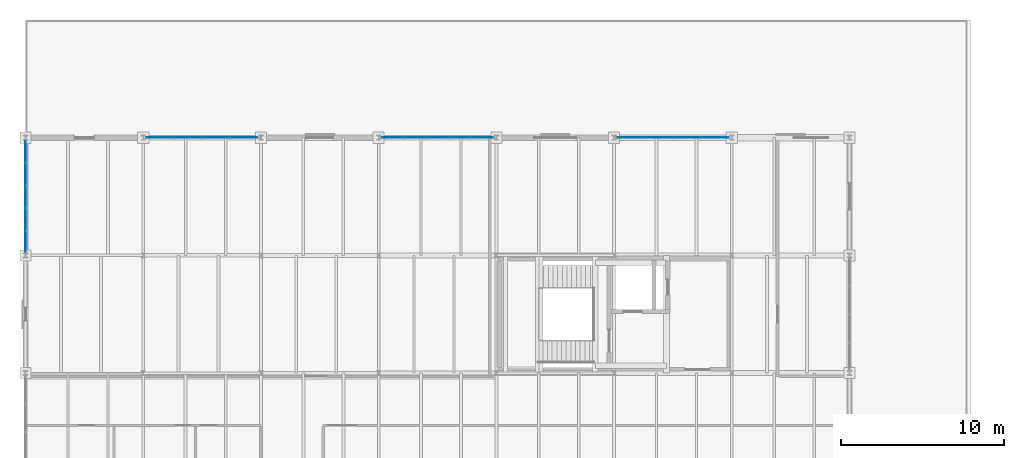
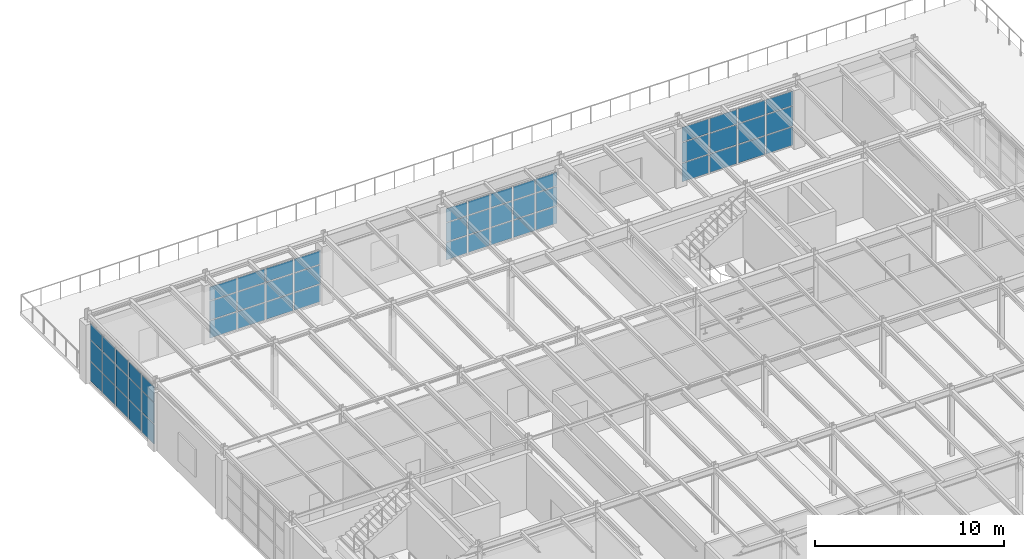
# One storey, part 86 of 101: 54 plates, 4 elements without a shape of their own.
"""IFC4 building model written with IfcOpenShell, lengths in metres."""

import ifcopenshell
import ifcopenshell.guid

model = None  # the IFC model being written
_history = None  # IfcOwnerHistory: only IFC2X3 demands one
_inside = {}  # id of a spatial element -> (the spatial element, [elements in it])
_under = {}  # id of a project, library or spatial element -> (it, [spatial elements below it])
_declared = {}  # id of a project -> (the project, [libraries it declares])
_typed = {}  # id of a type object -> (the type object, [elements of that type])
_made_of = {}  # id of a material, layer set ... -> (it, [elements and type objects made of it])


def new_model(schema):
    """Start an empty IFC model of exactly this schema.

    Asked for "IFC4X3", IfcOpenShell would pick the latest addendum, in which some entities
    have other attributes; the version numbers below select the first issue.
    IFC2X3 requires an IfcOwnerHistory on every rooted entity: one is made here for all.
    """
    global model, _history
    if schema == "IFC4X3":
        model = ifcopenshell.file(schema_version=(4, 3, 0, 0))
    else:
        model = ifcopenshell.file(schema=schema)
    _inside.clear()
    _under.clear()
    _declared.clear()
    _typed.clear()
    _made_of.clear()
    _history = None
    if model.schema == "IFC2X3":
        org = make("IfcOrganization", Name="unknown")
        user = make(
            "IfcPersonAndOrganization",
            ThePerson=make("IfcPerson", FamilyName="unknown"),
            TheOrganization=org,
        )
        app = make(
            "IfcApplication",
            ApplicationDeveloper=org,
            Version="unknown",
            ApplicationFullName="unknown",
            ApplicationIdentifier="unknown",
        )
        _history = make(
            "IfcOwnerHistory",
            OwningUser=user,
            OwningApplication=app,
            ChangeAction="ADDED",
            CreationDate=0,
        )
    return model


def make(cls, **values):
    """One entity of the class cls with the attributes given. An attribute that is None is left unset."""
    return model.create_entity(
        cls, **{name: value for name, value in values.items() if value is not None}
    )


def rooted(cls, **values):
    """An entity with a GlobalId (a new one), such as an element, a storey or a relation."""
    return make(cls, GlobalId=ifcopenshell.guid.new(), OwnerHistory=_history, **values)


def si_unit(unit_type, name, prefix=None):
    """IfcSIUnit, for example si_unit("LENGTHUNIT", "METRE", prefix="MILLI")."""
    return make("IfcSIUnit", UnitType=unit_type, Prefix=prefix, Name=name)


def assignment(units):
    """IfcUnitAssignment: the units of a project."""
    return None if units is None else make("IfcUnitAssignment", Units=units)


def point(xyz):
    """IfcCartesianPoint."""
    return None if xyz is None else make("IfcCartesianPoint", Coordinates=xyz)


def direction(xyz):
    """IfcDirection."""
    return None if xyz is None else make("IfcDirection", DirectionRatios=xyz)


def frame(location, z_axis=None, x_axis=None):
    """IfcAxis2Placement3D, a coordinate frame: its origin and axes. An axis left out is left unset."""
    return make(
        "IfcAxis2Placement3D",
        Location=point(location),
        Axis=direction(z_axis),
        RefDirection=direction(x_axis),
    )


def frame_2d(location, x_axis=None):
    """IfcAxis2Placement2D, a coordinate frame in the plane: its origin and x axis."""
    return make(
        "IfcAxis2Placement2D", Location=point(location), RefDirection=direction(x_axis)
    )


def origin():
    """The frame at (0, 0, 0) with its axes left unset."""
    return frame((0.0, 0.0, 0.0))


def origin_2d():
    """The frame at (0, 0) in the plane with its x axis left unset."""
    return frame_2d((0.0, 0.0))


def place(relative_to, where):
    """IfcLocalPlacement: puts the frame where relative to a parent placement (None: the world)."""
    return make(
        "IfcLocalPlacement", PlacementRelTo=relative_to, RelativePlacement=where
    )


def context(
    kind, dimensions, precision=None, world=None, true_north=None, identifier=None
):
    """IfcGeometricRepresentationContext, for example the 3D "Model" context."""
    return make(
        "IfcGeometricRepresentationContext",
        ContextIdentifier=identifier,
        ContextType=kind,
        CoordinateSpaceDimension=dimensions,
        Precision=precision,
        WorldCoordinateSystem=world,
        TrueNorth=true_north,
    )


def subcontext(parent, identifier, kind, view, scale=None):
    """IfcGeometricRepresentationSubContext, for example "Body" below "Model"."""
    return make(
        "IfcGeometricRepresentationSubContext",
        ContextIdentifier=identifier,
        ContextType=kind,
        ParentContext=parent,
        TargetScale=scale,
        TargetView=view,
    )


def project(units=None, contexts=None):
    """IfcProject with its units and contexts."""
    return rooted(
        "IfcProject",
        Name="project",
        RepresentationContexts=contexts,
        UnitsInContext=assignment(units),
    )


def spatial(cls, under=None, at=None, **own):
    """A site, building, storey or space (cls), placed at a placement, below another one or the project."""
    s = rooted(cls, ObjectPlacement=at, **own)
    if under is not None:
        _under.setdefault(under.id(), (under, []))[1].append(s)
    return s


def profile(cls, at=None, kind="AREA", **sizes):
    """A parametric profile (cls). Its sizes go by their IFC names, for example OverallWidth=200.0."""
    return make(cls, ProfileType=kind, Position=at, **sizes)


def rectangle(**sizes):
    """IfcRectangleProfileDef."""
    return profile("IfcRectangleProfileDef", **sizes)


def extrude(swept, where, along, depth):
    """IfcExtrudedAreaSolid: the profile swept, set in the frame where, extruded along a direction by depth."""
    return make(
        "IfcExtrudedAreaSolid",
        SweptArea=swept,
        Position=where,
        ExtrudedDirection=direction(along),
        Depth=depth,
    )


def shape(context_of_items, identifier, shape_type, items):
    """IfcShapeRepresentation: the items that make up one representation, for example the "Body"."""
    return make(
        "IfcShapeRepresentation",
        ContextOfItems=context_of_items,
        RepresentationIdentifier=identifier,
        RepresentationType=shape_type,
        Items=items,
    )


def material(Name=None, Category=None):
    """IfcMaterial."""
    return make("IfcMaterial", Name=Name, Category=Category)


def layer(
    of_material, thickness, ventilated=None, Name=None, Category=None, Priority=None
):
    """IfcMaterialLayer: one layer of a wall or slab, of a material (None: an air gap)."""
    return make(
        "IfcMaterialLayer",
        Material=of_material,
        LayerThickness=thickness,
        IsVentilated=ventilated,
        Name=Name,
        Category=Category,
        Priority=Priority,
    )


def layer_set(layers, Name=None):
    """IfcMaterialLayerSet."""
    return make("IfcMaterialLayerSet", MaterialLayers=layers, LayerSetName=Name)


def made_of(thing, what):
    """Note that an element or type object is made of a material, layer set ...; save() writes the relation."""
    if what is not None:
        _made_of.setdefault(what.id(), (what, []))[1].append(thing)
    return thing


def type_object(cls, material=None, **own):
    """A type object (cls), such as IfcWallType, which elements share."""
    return made_of(rooted(cls, **own), material)


def element(
    cls,
    number,
    at=None,
    inside=None,
    cuts=None,
    type_object=None,
    material=None,
    context=None,
    identifier="Body",
    shape_type=None,
    held_by="IfcProductDefinitionShape",
    body=None,
    shapes=None,
    **own,
):
    """One element of the class cls, such as IfcWall. Its Tag is "e" and its number.

    at: its placement. inside: the storey or other place that contains it. cuts: it is an
    opening in that element (IfcRelVoidsElement). A single representation is given by context,
    identifier, shape_type and body (its items); several are given by shapes. held_by: the class
    of the entity that holds the representations. save() writes the other relations.
    """
    e = rooted(cls, Tag="e%d" % number, ObjectPlacement=at, **own)
    if body is not None:
        shapes = [shape(context, identifier, shape_type, body)]
    if shapes is not None:
        e.Representation = make(held_by, Representations=shapes)
    if inside is not None:
        _inside.setdefault(inside.id(), (inside, []))[1].append(e)
    if cuts is not None:
        rooted(
            "IfcRelVoidsElement", RelatingBuildingElement=cuts, RelatedOpeningElement=e
        )
    if type_object is not None:
        _typed.setdefault(type_object.id(), (type_object, []))[1].append(e)
    return made_of(e, material)


def aggregate(whole, parts):
    """IfcRelAggregates: a whole, such as a stair, and the parts it consists of."""
    return rooted("IfcRelAggregates", RelatingObject=whole, RelatedObjects=parts)


def save(model, path):
    """Write the relations noted so far, then the file.

    IfcRelAggregates (storeys below a building ...), IfcRelContainedInSpatialStructure (elements
    in a storey), IfcRelDefinesByType, IfcRelAssociatesMaterial and IfcRelDeclares: one each for
    every whole, place, type object, material and project.
    """
    for whole, parts in _under.values():
        aggregate(whole, parts)
    for where, things in _inside.values():
        rooted(
            "IfcRelContainedInSpatialStructure",
            RelatedElements=things,
            RelatingStructure=where,
        )
    for kind, things in _typed.values():
        rooted("IfcRelDefinesByType", RelatedObjects=things, RelatingType=kind)
    for what, things in _made_of.values():
        rooted("IfcRelAssociatesMaterial", RelatedObjects=things, RelatingMaterial=what)
    for by, libraries in _declared.values():
        rooted("IfcRelDeclares", RelatingContext=by, RelatedDefinitions=libraries)
    model.write(path)


model = new_model("IFC4")

# Units and contexts
model_context = context("Model", 3, precision=1e-05, world=origin(), true_north=direction((0.0, 1.0)))
body_context = subcontext(model_context, "Body", "Model", "MODEL_VIEW")
ifc_project = project(units=[si_unit("LENGTHUNIT", "METRE"), si_unit("AREAUNIT", "SQUARE_METRE"), si_unit("VOLUMEUNIT", "CUBIC_METRE"), si_unit("PLANEANGLEUNIT", "RADIAN"), si_unit("MASSUNIT", "GRAM", prefix="KILO")], contexts=[model_context])

# Site, building, storey
site_placement = place(None, origin())
site = spatial("IfcSite", under=ifc_project, at=site_placement, CompositionType="ELEMENT")
building_placement = place(site_placement, origin())
building = spatial("IfcBuilding", under=site, at=building_placement, Name="Kemerveld Promenade Tramway Depot", CompositionType="ELEMENT")
storey_placement = place(building_placement, frame((0.0, 0.0, 9.89990234375)))
storey = spatial("IfcBuildingStorey", under=building, at=storey_placement, Name="L02", CompositionType="ELEMENT", Elevation=9.89990234375)

# Curtain wall, plates
ifc_material_1 = material(Name="Bronze anodised aluminium and solar glass", Category="aluminium")
ifc_layer_1 = layer(ifc_material_1, 0.159912109375)
ifc_layer_set_1 = layer_set([ifc_layer_1], Name="CW-SYS-09")
curtain_wall_type_1 = type_object("IfcCurtainWallType", Name="CW-SYS-09", PredefinedType="USERDEFINED", material=ifc_layer_set_1)
curtain_wall_1_placement = place(storey_placement, origin())
curtain_wall_1 = element("IfcCurtainWall", 1, at=curtain_wall_1_placement, inside=storey, type_object=curtain_wall_type_1, Name="CW-L02-V5N-06", ObjectType="GLAZED_CURTAIN_WALL", PredefinedType="USERDEFINED")
ifc_material_2 = material(Name="Solar-control laminated double glazing", Category="glass")
ifc_layer_2 = layer(ifc_material_2, 0.028076171875)
ifc_layer_set_2 = layer_set([ifc_layer_2], Name="CW-PNL-01")
plate_type_1 = type_object("IfcPlateType", Name="CW-PNL-01", PredefinedType="CURTAIN_PANEL", material=ifc_layer_set_2)
plate_1_placement = place(storey_placement, frame((37.034912109375, 72.0, 0.06005859375), z_axis=(0.0, 0.0, 1.0), x_axis=(1.0, 0.0, 0.0)))
plate_1 = element("IfcPlate", 2, at=plate_1_placement, type_object=plate_type_1, Name="CW09 panel 1.1", PredefinedType="CURTAIN_PANEL", context=body_context, shape_type="SweptSolid", body=[
    extrude(rectangle(XDim=1.62353515625, YDim=0.028076171875, at=origin_2d()), origin(), (0.0, 0.0, 1.0), 1.175048828125),
])
plate_2_placement = place(storey_placement, frame((37.034912109375, 72.0, 1.294921875), z_axis=(0.0, 0.0, 1.0), x_axis=(1.0, 0.0, 0.0)))
plate_2 = element("IfcPlate", 3, at=plate_2_placement, type_object=plate_type_1, Name="CW09 panel 1.2", PredefinedType="CURTAIN_PANEL", context=body_context, shape_type="SweptSolid", body=[
    extrude(rectangle(XDim=1.62353515625, YDim=0.028076171875, at=origin_2d()), origin(), (0.0, 0.0, 1.0), 1.278076171875),
])
plate_3_placement = place(storey_placement, frame((37.034912109375, 72.0, 2.6328125), z_axis=(0.0, 0.0, 1.0), x_axis=(1.0, 0.0, 0.0)))
plate_3 = element("IfcPlate", 4, at=plate_3_placement, type_object=plate_type_1, Name="CW09 panel 1.3", PredefinedType="CURTAIN_PANEL", context=body_context, shape_type="SweptSolid", body=[
    extrude(rectangle(XDim=1.62353515625, YDim=0.028076171875, at=origin_2d()), origin(), (0.0, 0.0, 1.0), 0.922119140625),
])
plate_4_placement = place(storey_placement, frame((38.739501953125, 72.0, 0.06005859375), z_axis=(0.0, 0.0, 1.0), x_axis=(1.0, 0.0, 0.0)))
plate_4 = element("IfcPlate", 5, at=plate_4_placement, type_object=plate_type_1, Name="CW09 panel 2.1", PredefinedType="CURTAIN_PANEL", context=body_context, shape_type="SweptSolid", body=[
    extrude(rectangle(XDim=1.656005859375, YDim=0.028076171875, at=origin_2d()), origin(), (0.0, 0.0, 1.0), 1.175048828125),
])
plate_5_placement = place(storey_placement, frame((38.739501953125, 72.0, 1.294921875), z_axis=(0.0, 0.0, 1.0), x_axis=(1.0, 0.0, 0.0)))
plate_5 = element("IfcPlate", 6, at=plate_5_placement, type_object=plate_type_1, Name="CW09 panel 2.2", PredefinedType="CURTAIN_PANEL", context=body_context, shape_type="SweptSolid", body=[
    extrude(rectangle(XDim=1.656005859375, YDim=0.028076171875, at=origin_2d()), origin(), (0.0, 0.0, 1.0), 1.278076171875),
])
plate_6_placement = place(storey_placement, frame((38.739501953125, 72.0, 2.6328125), z_axis=(0.0, 0.0, 1.0), x_axis=(1.0, 0.0, 0.0)))
plate_6 = element("IfcPlate", 7, at=plate_6_placement, type_object=plate_type_1, Name="CW09 panel 2.3", PredefinedType="CURTAIN_PANEL", context=body_context, shape_type="SweptSolid", body=[
    extrude(rectangle(XDim=1.656005859375, YDim=0.028076171875, at=origin_2d()), origin(), (0.0, 0.0, 1.0), 0.922119140625),
])
plate_7_placement = place(storey_placement, frame((40.46044921875, 72.0, 0.06005859375), z_axis=(0.0, 0.0, 1.0), x_axis=(1.0, 0.0, 0.0)))
plate_7 = element("IfcPlate", 8, at=plate_7_placement, type_object=plate_type_1, Name="CW09 panel 3.1", PredefinedType="CURTAIN_PANEL", context=body_context, shape_type="SweptSolid", body=[
    extrude(rectangle(XDim=1.656005859375, YDim=0.028076171875, at=origin_2d()), origin(), (0.0, 0.0, 1.0), 1.175048828125),
])
plate_8_placement = place(storey_placement, frame((40.46044921875, 72.0, 1.294921875), z_axis=(0.0, 0.0, 1.0), x_axis=(1.0, 0.0, 0.0)))
plate_8 = element("IfcPlate", 9, at=plate_8_placement, type_object=plate_type_1, Name="CW09 panel 3.2", PredefinedType="CURTAIN_PANEL", context=body_context, shape_type="SweptSolid", body=[
    extrude(rectangle(XDim=1.656005859375, YDim=0.028076171875, at=origin_2d()), origin(), (0.0, 0.0, 1.0), 1.278076171875),
])
plate_9_placement = place(storey_placement, frame((40.46044921875, 72.0, 2.6328125), z_axis=(0.0, 0.0, 1.0), x_axis=(1.0, 0.0, 0.0)))
plate_9 = element("IfcPlate", 10, at=plate_9_placement, type_object=plate_type_1, Name="CW09 panel 3.3", PredefinedType="CURTAIN_PANEL", context=body_context, shape_type="SweptSolid", body=[
    extrude(rectangle(XDim=1.656005859375, YDim=0.028076171875, at=origin_2d()), origin(), (0.0, 0.0, 1.0), 0.922119140625),
])
plate_10_placement = place(storey_placement, frame((42.165283203125, 72.0, 0.06005859375), z_axis=(0.0, 0.0, 1.0), x_axis=(1.0, 0.0, 0.0)))
plate_10 = element("IfcPlate", 11, at=plate_10_placement, type_object=plate_type_1, Name="CW09 panel 4.1", PredefinedType="CURTAIN_PANEL", context=body_context, shape_type="SweptSolid", body=[
    extrude(rectangle(XDim=1.62353515625, YDim=0.028076171875, at=origin_2d()), origin(), (0.0, 0.0, 1.0), 1.175048828125),
])
plate_11_placement = place(storey_placement, frame((42.165283203125, 72.0, 1.294921875), z_axis=(0.0, 0.0, 1.0), x_axis=(1.0, 0.0, 0.0)))
plate_11 = element("IfcPlate", 12, at=plate_11_placement, type_object=plate_type_1, Name="CW09 panel 4.2", PredefinedType="CURTAIN_PANEL", context=body_context, shape_type="SweptSolid", body=[
    extrude(rectangle(XDim=1.62353515625, YDim=0.028076171875, at=origin_2d()), origin(), (0.0, 0.0, 1.0), 1.278076171875),
])
plate_12_placement = place(storey_placement, frame((42.165283203125, 72.0, 2.6328125), z_axis=(0.0, 0.0, 1.0), x_axis=(1.0, 0.0, 0.0)))
plate_12 = element("IfcPlate", 13, at=plate_12_placement, type_object=plate_type_1, Name="CW09 panel 4.3", PredefinedType="CURTAIN_PANEL", context=body_context, shape_type="SweptSolid", body=[
    extrude(rectangle(XDim=1.62353515625, YDim=0.028076171875, at=origin_2d()), origin(), (0.0, 0.0, 1.0), 0.922119140625),
])
aggregate(curtain_wall_1, [plate_1, plate_2, plate_3, plate_4, plate_5, plate_6, plate_7, plate_8, plate_9, plate_10, plate_11, plate_12])

ifc_layer_3 = layer(ifc_material_1, 0.159912109375)
ifc_layer_set_3 = layer_set([ifc_layer_3], Name="CW-SYS-13")
curtain_wall_type_2 = type_object("IfcCurtainWallType", Name="CW-SYS-13", PredefinedType="USERDEFINED", material=ifc_layer_set_3)
curtain_wall_2_placement = place(storey_placement, origin())
curtain_wall_2 = element("IfcCurtainWall", 14, at=curtain_wall_2_placement, inside=storey, type_object=curtain_wall_type_2, Name="CW-L02-V5W-10", ObjectType="GLAZED_CURTAIN_WALL", PredefinedType="USERDEFINED")
ifc_layer_4 = layer(ifc_material_2, 0.031982421875)
ifc_layer_set_4 = layer_set([ifc_layer_4], Name="CW-PNL-05")
plate_type_2 = type_object("IfcPlateType", Name="CW-PNL-05", PredefinedType="CURTAIN_PANEL", material=ifc_layer_set_4)
plate_13_placement = place(storey_placement, frame((0.0, 65.662841796875, 0.06005859375), z_axis=(0.0, 0.0, 1.0), x_axis=(0.0, 1.0, 0.0)))
plate_13 = element("IfcPlate", 15, at=plate_13_placement, type_object=plate_type_2, Name="CW13 panel 1.1", PredefinedType="CURTAIN_PANEL", context=body_context, shape_type="SweptSolid", body=[
    extrude(rectangle(XDim=1.279296875, YDim=0.031982421875, at=origin_2d()), origin(), (0.0, 0.0, 1.0), 1.239990234375),
])
plate_14_placement = place(storey_placement, frame((0.0, 65.662841796875, 1.3603515625), z_axis=(0.0, 0.0, 1.0), x_axis=(0.0, 1.0, 0.0)))
plate_14 = element("IfcPlate", 16, at=plate_14_placement, type_object=plate_type_2, Name="CW13 panel 1.2", PredefinedType="CURTAIN_PANEL", context=body_context, shape_type="SweptSolid", body=[
    extrude(rectangle(XDim=1.279296875, YDim=0.031982421875, at=origin_2d()), origin(), (0.0, 0.0, 1.0), 1.345947265625),
])
plate_15_placement = place(storey_placement, frame((0.0, 65.662841796875, 2.76611328125), z_axis=(0.0, 0.0, 1.0), x_axis=(0.0, 1.0, 0.0)))
plate_15 = element("IfcPlate", 17, at=plate_15_placement, type_object=plate_type_2, Name="CW13 panel 1.3", PredefinedType="CURTAIN_PANEL", context=body_context, shape_type="SweptSolid", body=[
    extrude(rectangle(XDim=1.279296875, YDim=0.031982421875, at=origin_2d()), origin(), (0.0, 0.0, 1.0), 0.97412109375),
])
plate_16_placement = place(storey_placement, frame((0.0, 67.023193359375, 0.06005859375), z_axis=(0.0, 0.0, 1.0), x_axis=(0.0, 1.0, 0.0)))
plate_16 = element("IfcPlate", 18, at=plate_16_placement, type_object=plate_type_2, Name="CW13 panel 2.1", PredefinedType="CURTAIN_PANEL", context=body_context, shape_type="SweptSolid", body=[
    extrude(rectangle(XDim=1.311767578125, YDim=0.031982421875, at=origin_2d()), origin(), (0.0, 0.0, 1.0), 1.239990234375),
])
plate_17_placement = place(storey_placement, frame((0.0, 67.023193359375, 1.3603515625), z_axis=(0.0, 0.0, 1.0), x_axis=(0.0, 1.0, 0.0)))
plate_17 = element("IfcPlate", 19, at=plate_17_placement, type_object=plate_type_2, Name="CW13 panel 2.2", PredefinedType="CURTAIN_PANEL", context=body_context, shape_type="SweptSolid", body=[
    extrude(rectangle(XDim=1.311767578125, YDim=0.031982421875, at=origin_2d()), origin(), (0.0, 0.0, 1.0), 1.345947265625),
])
plate_18_placement = place(storey_placement, frame((0.0, 67.023193359375, 2.76611328125), z_axis=(0.0, 0.0, 1.0), x_axis=(0.0, 1.0, 0.0)))
plate_18 = element("IfcPlate", 20, at=plate_18_placement, type_object=plate_type_2, Name="CW13 panel 2.3", PredefinedType="CURTAIN_PANEL", context=body_context, shape_type="SweptSolid", body=[
    extrude(rectangle(XDim=1.311767578125, YDim=0.031982421875, at=origin_2d()), origin(), (0.0, 0.0, 1.0), 0.97412109375),
])
plate_19_placement = place(storey_placement, frame((0.0, 68.39990234375, 0.06005859375), z_axis=(0.0, 0.0, 1.0), x_axis=(0.0, 1.0, 0.0)))
plate_19 = element("IfcPlate", 21, at=plate_19_placement, type_object=plate_type_2, Name="CW13 panel 3.1", PredefinedType="CURTAIN_PANEL", context=body_context, shape_type="SweptSolid", body=[
    extrude(rectangle(XDim=1.311767578125, YDim=0.031982421875, at=origin_2d()), origin(), (0.0, 0.0, 1.0), 1.239990234375),
])
plate_20_placement = place(storey_placement, frame((0.0, 68.39990234375, 1.3603515625), z_axis=(0.0, 0.0, 1.0), x_axis=(0.0, 1.0, 0.0)))
plate_20 = element("IfcPlate", 22, at=plate_20_placement, type_object=plate_type_2, Name="CW13 panel 3.2", PredefinedType="CURTAIN_PANEL", context=body_context, shape_type="SweptSolid", body=[
    extrude(rectangle(XDim=1.311767578125, YDim=0.031982421875, at=origin_2d()), origin(), (0.0, 0.0, 1.0), 1.345947265625),
])
plate_21_placement = place(storey_placement, frame((0.0, 68.39990234375, 2.76611328125), z_axis=(0.0, 0.0, 1.0), x_axis=(0.0, 1.0, 0.0)))
plate_21 = element("IfcPlate", 23, at=plate_21_placement, type_object=plate_type_2, Name="CW13 panel 3.3", PredefinedType="CURTAIN_PANEL", context=body_context, shape_type="SweptSolid", body=[
    extrude(rectangle(XDim=1.311767578125, YDim=0.031982421875, at=origin_2d()), origin(), (0.0, 0.0, 1.0), 0.97412109375),
])
plate_22_placement = place(storey_placement, frame((0.0, 69.776611328125, 0.06005859375), z_axis=(0.0, 0.0, 1.0), x_axis=(0.0, 1.0, 0.0)))
plate_22 = element("IfcPlate", 24, at=plate_22_placement, type_object=plate_type_2, Name="CW13 panel 4.1", PredefinedType="CURTAIN_PANEL", context=body_context, shape_type="SweptSolid", body=[
    extrude(rectangle(XDim=1.311767578125, YDim=0.031982421875, at=origin_2d()), origin(), (0.0, 0.0, 1.0), 1.239990234375),
])
plate_23_placement = place(storey_placement, frame((0.0, 69.776611328125, 1.3603515625), z_axis=(0.0, 0.0, 1.0), x_axis=(0.0, 1.0, 0.0)))
plate_23 = element("IfcPlate", 25, at=plate_23_placement, type_object=plate_type_2, Name="CW13 panel 4.2", PredefinedType="CURTAIN_PANEL", context=body_context, shape_type="SweptSolid", body=[
    extrude(rectangle(XDim=1.311767578125, YDim=0.031982421875, at=origin_2d()), origin(), (0.0, 0.0, 1.0), 1.345947265625),
])
plate_24_placement = place(storey_placement, frame((0.0, 69.776611328125, 2.76611328125), z_axis=(0.0, 0.0, 1.0), x_axis=(0.0, 1.0, 0.0)))
plate_24 = element("IfcPlate", 26, at=plate_24_placement, type_object=plate_type_2, Name="CW13 panel 4.3", PredefinedType="CURTAIN_PANEL", context=body_context, shape_type="SweptSolid", body=[
    extrude(rectangle(XDim=1.311767578125, YDim=0.031982421875, at=origin_2d()), origin(), (0.0, 0.0, 1.0), 0.97412109375),
])
plate_25_placement = place(storey_placement, frame((0.0, 71.13720703125, 0.06005859375), z_axis=(0.0, 0.0, 1.0), x_axis=(0.0, 1.0, 0.0)))
plate_25 = element("IfcPlate", 27, at=plate_25_placement, type_object=plate_type_2, Name="CW13 panel 5.1", PredefinedType="CURTAIN_PANEL", context=body_context, shape_type="SweptSolid", body=[
    extrude(rectangle(XDim=1.279296875, YDim=0.031982421875, at=origin_2d()), origin(), (0.0, 0.0, 1.0), 1.239990234375),
])
plate_26_placement = place(storey_placement, frame((0.0, 71.13720703125, 1.3603515625), z_axis=(0.0, 0.0, 1.0), x_axis=(0.0, 1.0, 0.0)))
plate_26 = element("IfcPlate", 28, at=plate_26_placement, type_object=plate_type_2, Name="CW13 panel 5.2", PredefinedType="CURTAIN_PANEL", context=body_context, shape_type="SweptSolid", body=[
    extrude(rectangle(XDim=1.279296875, YDim=0.031982421875, at=origin_2d()), origin(), (0.0, 0.0, 1.0), 1.345947265625),
])
plate_27_placement = place(storey_placement, frame((0.0, 71.13720703125, 2.76611328125), z_axis=(0.0, 0.0, 1.0), x_axis=(0.0, 1.0, 0.0)))
plate_27 = element("IfcPlate", 29, at=plate_27_placement, type_object=plate_type_2, Name="CW13 panel 5.3", PredefinedType="CURTAIN_PANEL", context=body_context, shape_type="SweptSolid", body=[
    extrude(rectangle(XDim=1.279296875, YDim=0.031982421875, at=origin_2d()), origin(), (0.0, 0.0, 1.0), 0.97412109375),
])
aggregate(curtain_wall_2, [plate_13, plate_14, plate_15, plate_16, plate_17, plate_18, plate_19, plate_20, plate_21, plate_22, plate_23, plate_24, plate_25, plate_26, plate_27])

ifc_layer_5 = layer(ifc_material_1, 0.159912109375)
ifc_layer_set_5 = layer_set([ifc_layer_5], Name="CW-SYS-05")
curtain_wall_type_3 = type_object("IfcCurtainWallType", Name="CW-SYS-05", PredefinedType="USERDEFINED", material=ifc_layer_set_5)
curtain_wall_3_placement = place(storey_placement, origin())
curtain_wall_3 = element("IfcCurtainWall", 30, at=curtain_wall_3_placement, inside=storey, type_object=curtain_wall_type_3, Name="CW-L02-V5N-02", ObjectType="GLAZED_CURTAIN_WALL", PredefinedType="USERDEFINED")
plate_28_placement = place(storey_placement, frame((8.23486328125, 72.0, 0.06005859375), z_axis=(0.0, 0.0, 1.0), x_axis=(1.0, 0.0, 0.0)))
plate_28 = element("IfcPlate", 31, at=plate_28_placement, type_object=plate_type_2, Name="CW05 panel 1.1", PredefinedType="CURTAIN_PANEL", context=body_context, shape_type="SweptSolid", body=[
    extrude(rectangle(XDim=1.62353515625, YDim=0.031982421875, at=origin_2d()), origin(), (0.0, 0.0, 1.0), 1.10498046875),
])
plate_29_placement = place(storey_placement, frame((8.23486328125, 72.0, 1.22509765625), z_axis=(0.0, 0.0, 1.0), x_axis=(1.0, 0.0, 0.0)))
plate_29 = element("IfcPlate", 32, at=plate_29_placement, type_object=plate_type_2, Name="CW05 panel 1.2", PredefinedType="CURTAIN_PANEL", context=body_context, shape_type="SweptSolid", body=[
    extrude(rectangle(XDim=1.62353515625, YDim=0.031982421875, at=origin_2d()), origin(), (0.0, 0.0, 1.0), 1.202880859375),
])
plate_30_placement = place(storey_placement, frame((8.23486328125, 72.0, 2.488037109375), z_axis=(0.0, 0.0, 1.0), x_axis=(1.0, 0.0, 0.0)))
plate_30 = element("IfcPlate", 33, at=plate_30_placement, type_object=plate_type_2, Name="CW05 panel 1.3", PredefinedType="CURTAIN_PANEL", context=body_context, shape_type="SweptSolid", body=[
    extrude(rectangle(XDim=1.62353515625, YDim=0.031982421875, at=origin_2d()), origin(), (0.0, 0.0, 1.0), 0.8662109375),
])
plate_31_placement = place(storey_placement, frame((9.939697265625, 72.0, 0.06005859375), z_axis=(0.0, 0.0, 1.0), x_axis=(1.0, 0.0, 0.0)))
plate_31 = element("IfcPlate", 34, at=plate_31_placement, type_object=plate_type_2, Name="CW05 panel 2.1", PredefinedType="CURTAIN_PANEL", context=body_context, shape_type="SweptSolid", body=[
    extrude(rectangle(XDim=1.656005859375, YDim=0.031982421875, at=origin_2d()), origin(), (0.0, 0.0, 1.0), 1.10498046875),
])
plate_32_placement = place(storey_placement, frame((9.939697265625, 72.0, 1.22509765625), z_axis=(0.0, 0.0, 1.0), x_axis=(1.0, 0.0, 0.0)))
plate_32 = element("IfcPlate", 35, at=plate_32_placement, type_object=plate_type_2, Name="CW05 panel 2.2", PredefinedType="CURTAIN_PANEL", context=body_context, shape_type="SweptSolid", body=[
    extrude(rectangle(XDim=1.656005859375, YDim=0.031982421875, at=origin_2d()), origin(), (0.0, 0.0, 1.0), 1.202880859375),
])
plate_33_placement = place(storey_placement, frame((9.939697265625, 72.0, 2.488037109375), z_axis=(0.0, 0.0, 1.0), x_axis=(1.0, 0.0, 0.0)))
plate_33 = element("IfcPlate", 36, at=plate_33_placement, type_object=plate_type_2, Name="CW05 panel 2.3", PredefinedType="CURTAIN_PANEL", context=body_context, shape_type="SweptSolid", body=[
    extrude(rectangle(XDim=1.656005859375, YDim=0.031982421875, at=origin_2d()), origin(), (0.0, 0.0, 1.0), 0.8662109375),
])
plate_34_placement = place(storey_placement, frame((11.660400390625, 72.0, 0.06005859375), z_axis=(0.0, 0.0, 1.0), x_axis=(1.0, 0.0, 0.0)))
plate_34 = element("IfcPlate", 37, at=plate_34_placement, type_object=plate_type_2, Name="CW05 panel 3.1", PredefinedType="CURTAIN_PANEL", context=body_context, shape_type="SweptSolid", body=[
    extrude(rectangle(XDim=1.656005859375, YDim=0.031982421875, at=origin_2d()), origin(), (0.0, 0.0, 1.0), 1.10498046875),
])
plate_35_placement = place(storey_placement, frame((11.660400390625, 72.0, 1.22509765625), z_axis=(0.0, 0.0, 1.0), x_axis=(1.0, 0.0, 0.0)))
plate_35 = element("IfcPlate", 38, at=plate_35_placement, type_object=plate_type_2, Name="CW05 panel 3.2", PredefinedType="CURTAIN_PANEL", context=body_context, shape_type="SweptSolid", body=[
    extrude(rectangle(XDim=1.656005859375, YDim=0.031982421875, at=origin_2d()), origin(), (0.0, 0.0, 1.0), 1.202880859375),
])
plate_36_placement = place(storey_placement, frame((11.660400390625, 72.0, 2.488037109375), z_axis=(0.0, 0.0, 1.0), x_axis=(1.0, 0.0, 0.0)))
plate_36 = element("IfcPlate", 39, at=plate_36_placement, type_object=plate_type_2, Name="CW05 panel 3.3", PredefinedType="CURTAIN_PANEL", context=body_context, shape_type="SweptSolid", body=[
    extrude(rectangle(XDim=1.656005859375, YDim=0.031982421875, at=origin_2d()), origin(), (0.0, 0.0, 1.0), 0.8662109375),
])
plate_37_placement = place(storey_placement, frame((13.365234375, 72.0, 0.06005859375), z_axis=(0.0, 0.0, 1.0), x_axis=(1.0, 0.0, 0.0)))
plate_37 = element("IfcPlate", 40, at=plate_37_placement, type_object=plate_type_2, Name="CW05 panel 4.1", PredefinedType="CURTAIN_PANEL", context=body_context, shape_type="SweptSolid", body=[
    extrude(rectangle(XDim=1.62353515625, YDim=0.031982421875, at=origin_2d()), origin(), (0.0, 0.0, 1.0), 1.10498046875),
])
plate_38_placement = place(storey_placement, frame((13.365234375, 72.0, 1.22509765625), z_axis=(0.0, 0.0, 1.0), x_axis=(1.0, 0.0, 0.0)))
plate_38 = element("IfcPlate", 41, at=plate_38_placement, type_object=plate_type_2, Name="CW05 panel 4.2", PredefinedType="CURTAIN_PANEL", context=body_context, shape_type="SweptSolid", body=[
    extrude(rectangle(XDim=1.62353515625, YDim=0.031982421875, at=origin_2d()), origin(), (0.0, 0.0, 1.0), 1.202880859375),
])
plate_39_placement = place(storey_placement, frame((13.365234375, 72.0, 2.488037109375), z_axis=(0.0, 0.0, 1.0), x_axis=(1.0, 0.0, 0.0)))
plate_39 = element("IfcPlate", 42, at=plate_39_placement, type_object=plate_type_2, Name="CW05 panel 4.3", PredefinedType="CURTAIN_PANEL", context=body_context, shape_type="SweptSolid", body=[
    extrude(rectangle(XDim=1.62353515625, YDim=0.031982421875, at=origin_2d()), origin(), (0.0, 0.0, 1.0), 0.8662109375),
])
aggregate(curtain_wall_3, [plate_28, plate_29, plate_30, plate_31, plate_32, plate_33, plate_34, plate_35, plate_36, plate_37, plate_38, plate_39])

ifc_layer_6 = layer(ifc_material_1, 0.159912109375)
ifc_layer_set_6 = layer_set([ifc_layer_6], Name="CW-SYS-07")
curtain_wall_type_4 = type_object("IfcCurtainWallType", Name="CW-SYS-07", PredefinedType="USERDEFINED", material=ifc_layer_set_6)
curtain_wall_4_placement = place(storey_placement, origin())
curtain_wall_4 = element("IfcCurtainWall", 43, at=curtain_wall_4_placement, inside=storey, type_object=curtain_wall_type_4, Name="CW-L02-V5N-04", ObjectType="GLAZED_CURTAIN_WALL", PredefinedType="USERDEFINED")
ifc_layer_7 = layer(ifc_material_2, 0.030029296875)
ifc_layer_set_7 = layer_set([ifc_layer_7], Name="CW-PNL-07")
plate_type_3 = type_object("IfcPlateType", Name="CW-PNL-07", PredefinedType="CURTAIN_PANEL", material=ifc_layer_set_7)
plate_40_placement = place(storey_placement, frame((22.462890625, 72.0, 0.06005859375), z_axis=(0.0, 0.0, 1.0), x_axis=(1.0, 0.0, 0.0)))
plate_40 = element("IfcPlate", 44, at=plate_40_placement, type_object=plate_type_3, Name="CW07 panel 1.1", PredefinedType="CURTAIN_PANEL", context=body_context, shape_type="SweptSolid", body=[
    extrude(rectangle(XDim=1.279296875, YDim=0.030029296875, at=origin_2d()), origin(), (0.0, 0.0, 1.0), 1.10498046875),
])
plate_41_placement = place(storey_placement, frame((22.462890625, 72.0, 1.22509765625), z_axis=(0.0, 0.0, 1.0), x_axis=(1.0, 0.0, 0.0)))
plate_41 = element("IfcPlate", 45, at=plate_41_placement, type_object=plate_type_3, Name="CW07 panel 1.2", PredefinedType="CURTAIN_PANEL", context=body_context, shape_type="SweptSolid", body=[
    extrude(rectangle(XDim=1.279296875, YDim=0.030029296875, at=origin_2d()), origin(), (0.0, 0.0, 1.0), 1.202880859375),
])
plate_42_placement = place(storey_placement, frame((22.462890625, 72.0, 2.488037109375), z_axis=(0.0, 0.0, 1.0), x_axis=(1.0, 0.0, 0.0)))
plate_42 = element("IfcPlate", 46, at=plate_42_placement, type_object=plate_type_3, Name="CW07 panel 1.3", PredefinedType="CURTAIN_PANEL", context=body_context, shape_type="SweptSolid", body=[
    extrude(rectangle(XDim=1.279296875, YDim=0.030029296875, at=origin_2d()), origin(), (0.0, 0.0, 1.0), 0.8662109375),
])
plate_43_placement = place(storey_placement, frame((23.8232421875, 72.0, 0.06005859375), z_axis=(0.0, 0.0, 1.0), x_axis=(1.0, 0.0, 0.0)))
plate_43 = element("IfcPlate", 47, at=plate_43_placement, type_object=plate_type_3, Name="CW07 panel 2.1", PredefinedType="CURTAIN_PANEL", context=body_context, shape_type="SweptSolid", body=[
    extrude(rectangle(XDim=1.311767578125, YDim=0.030029296875, at=origin_2d()), origin(), (0.0, 0.0, 1.0), 1.10498046875),
])
plate_44_placement = place(storey_placement, frame((23.8232421875, 72.0, 1.22509765625), z_axis=(0.0, 0.0, 1.0), x_axis=(1.0, 0.0, 0.0)))
plate_44 = element("IfcPlate", 48, at=plate_44_placement, type_object=plate_type_3, Name="CW07 panel 2.2", PredefinedType="CURTAIN_PANEL", context=body_context, shape_type="SweptSolid", body=[
    extrude(rectangle(XDim=1.311767578125, YDim=0.030029296875, at=origin_2d()), origin(), (0.0, 0.0, 1.0), 1.202880859375),
])
plate_45_placement = place(storey_placement, frame((23.8232421875, 72.0, 2.488037109375), z_axis=(0.0, 0.0, 1.0), x_axis=(1.0, 0.0, 0.0)))
plate_45 = element("IfcPlate", 49, at=plate_45_placement, type_object=plate_type_3, Name="CW07 panel 2.3", PredefinedType="CURTAIN_PANEL", context=body_context, shape_type="SweptSolid", body=[
    extrude(rectangle(XDim=1.311767578125, YDim=0.030029296875, at=origin_2d()), origin(), (0.0, 0.0, 1.0), 0.8662109375),
])
plate_46_placement = place(storey_placement, frame((25.199951171875, 72.0, 0.06005859375), z_axis=(0.0, 0.0, 1.0), x_axis=(1.0, 0.0, 0.0)))
plate_46 = element("IfcPlate", 50, at=plate_46_placement, type_object=plate_type_3, Name="CW07 panel 3.1", PredefinedType="CURTAIN_PANEL", context=body_context, shape_type="SweptSolid", body=[
    extrude(rectangle(XDim=1.311767578125, YDim=0.030029296875, at=origin_2d()), origin(), (0.0, 0.0, 1.0), 1.10498046875),
])
plate_47_placement = place(storey_placement, frame((25.199951171875, 72.0, 1.22509765625), z_axis=(0.0, 0.0, 1.0), x_axis=(1.0, 0.0, 0.0)))
plate_47 = element("IfcPlate", 51, at=plate_47_placement, type_object=plate_type_3, Name="CW07 panel 3.2", PredefinedType="CURTAIN_PANEL", context=body_context, shape_type="SweptSolid", body=[
    extrude(rectangle(XDim=1.311767578125, YDim=0.030029296875, at=origin_2d()), origin(), (0.0, 0.0, 1.0), 1.202880859375),
])
plate_48_placement = place(storey_placement, frame((25.199951171875, 72.0, 2.488037109375), z_axis=(0.0, 0.0, 1.0), x_axis=(1.0, 0.0, 0.0)))
plate_48 = element("IfcPlate", 52, at=plate_48_placement, type_object=plate_type_3, Name="CW07 panel 3.3", PredefinedType="CURTAIN_PANEL", context=body_context, shape_type="SweptSolid", body=[
    extrude(rectangle(XDim=1.311767578125, YDim=0.030029296875, at=origin_2d()), origin(), (0.0, 0.0, 1.0), 0.8662109375),
])
plate_49_placement = place(storey_placement, frame((26.576904296875, 72.0, 0.06005859375), z_axis=(0.0, 0.0, 1.0), x_axis=(1.0, 0.0, 0.0)))
plate_49 = element("IfcPlate", 53, at=plate_49_placement, type_object=plate_type_3, Name="CW07 panel 4.1", PredefinedType="CURTAIN_PANEL", context=body_context, shape_type="SweptSolid", body=[
    extrude(rectangle(XDim=1.311767578125, YDim=0.030029296875, at=origin_2d()), origin(), (0.0, 0.0, 1.0), 1.10498046875),
])
plate_50_placement = place(storey_placement, frame((26.576904296875, 72.0, 1.22509765625), z_axis=(0.0, 0.0, 1.0), x_axis=(1.0, 0.0, 0.0)))
plate_50 = element("IfcPlate", 54, at=plate_50_placement, type_object=plate_type_3, Name="CW07 panel 4.2", PredefinedType="CURTAIN_PANEL", context=body_context, shape_type="SweptSolid", body=[
    extrude(rectangle(XDim=1.311767578125, YDim=0.030029296875, at=origin_2d()), origin(), (0.0, 0.0, 1.0), 1.202880859375),
])
plate_51_placement = place(storey_placement, frame((26.576904296875, 72.0, 2.488037109375), z_axis=(0.0, 0.0, 1.0), x_axis=(1.0, 0.0, 0.0)))
plate_51 = element("IfcPlate", 55, at=plate_51_placement, type_object=plate_type_3, Name="CW07 panel 4.3", PredefinedType="CURTAIN_PANEL", context=body_context, shape_type="SweptSolid", body=[
    extrude(rectangle(XDim=1.311767578125, YDim=0.030029296875, at=origin_2d()), origin(), (0.0, 0.0, 1.0), 0.8662109375),
])
plate_52_placement = place(storey_placement, frame((27.937255859375, 72.0, 0.06005859375), z_axis=(0.0, 0.0, 1.0), x_axis=(1.0, 0.0, 0.0)))
plate_52 = element("IfcPlate", 56, at=plate_52_placement, type_object=plate_type_3, Name="CW07 panel 5.1", PredefinedType="CURTAIN_PANEL", context=body_context, shape_type="SweptSolid", body=[
    extrude(rectangle(XDim=1.279296875, YDim=0.030029296875, at=origin_2d()), origin(), (0.0, 0.0, 1.0), 1.10498046875),
])
plate_53_placement = place(storey_placement, frame((27.937255859375, 72.0, 1.22509765625), z_axis=(0.0, 0.0, 1.0), x_axis=(1.0, 0.0, 0.0)))
plate_53 = element("IfcPlate", 57, at=plate_53_placement, type_object=plate_type_3, Name="CW07 panel 5.2", PredefinedType="CURTAIN_PANEL", context=body_context, shape_type="SweptSolid", body=[
    extrude(rectangle(XDim=1.279296875, YDim=0.030029296875, at=origin_2d()), origin(), (0.0, 0.0, 1.0), 1.202880859375),
])
plate_54_placement = place(storey_placement, frame((27.937255859375, 72.0, 2.488037109375), z_axis=(0.0, 0.0, 1.0), x_axis=(1.0, 0.0, 0.0)))
plate_54 = element("IfcPlate", 58, at=plate_54_placement, type_object=plate_type_3, Name="CW07 panel 5.3", PredefinedType="CURTAIN_PANEL", context=body_context, shape_type="SweptSolid", body=[
    extrude(rectangle(XDim=1.279296875, YDim=0.030029296875, at=origin_2d()), origin(), (0.0, 0.0, 1.0), 0.8662109375),
])
aggregate(curtain_wall_4, [plate_40, plate_41, plate_42, plate_43, plate_44, plate_45, plate_46, plate_47, plate_48, plate_49, plate_50, plate_51, plate_52, plate_53, plate_54])

save(model, "model.ifc")
